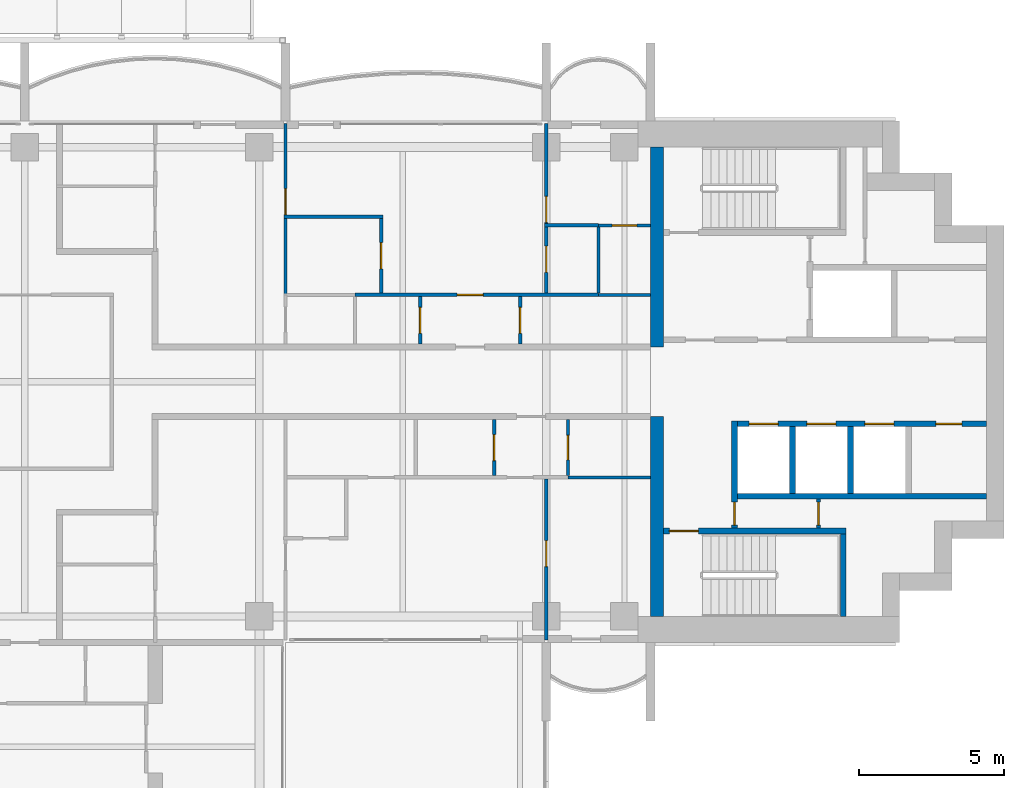
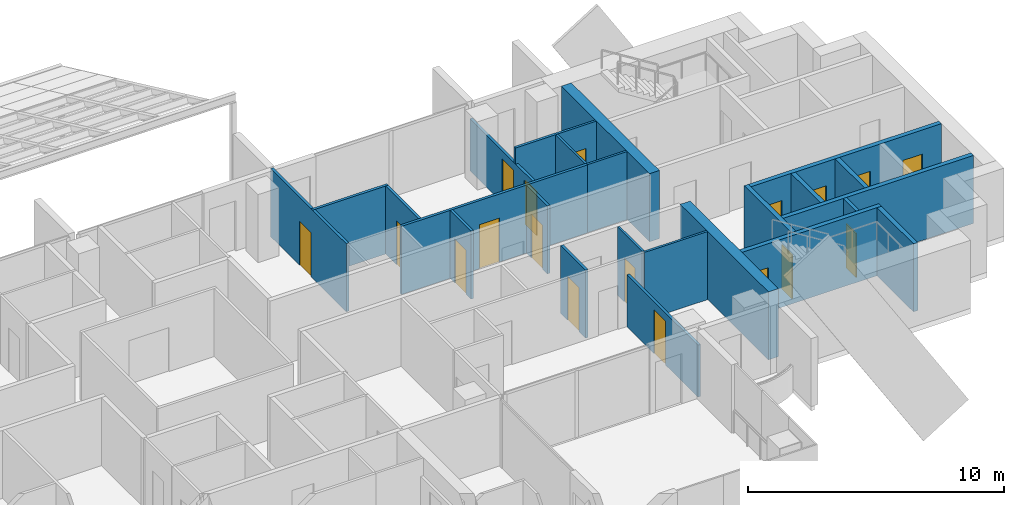
# One storey, part 14 of 20: 25 walls, 18 doors, 18 openings.
"""IFC4 building model written with IfcOpenShell, lengths in metres."""

from ifc_helpers import new_model, si_unit, direction, frame, frame_2d, origin, place, context, subcontext, project, spatial, rectangle, extrude, material, layer, layer_set, type_object, element, fill, save


model = new_model("IFC4")

# Units and contexts
model_context = context("Model", 3, precision=1e-05, world=origin(), true_north=direction((0.0, 1.0)))
body_context = subcontext(model_context, "Body", "Model", "MODEL_VIEW")
ifc_project = project(units=[si_unit("LENGTHUNIT", "METRE"), si_unit("AREAUNIT", "SQUARE_METRE"), si_unit("VOLUMEUNIT", "CUBIC_METRE"), si_unit("PLANEANGLEUNIT", "RADIAN"), si_unit("MASSUNIT", "GRAM", prefix="KILO")], contexts=[model_context])

# Site, building, storey
site_placement = place(None, origin())
site = spatial("IfcSite", under=ifc_project, at=site_placement, CompositionType="ELEMENT")
building_placement = place(site_placement, origin())
building = spatial("IfcBuilding", under=site, at=building_placement, Name="Perihelion Cross Residences", CompositionType="ELEMENT")
storey_placement = place(building_placement, frame((0.0, 0.0, 170.10009765625)))
storey = spatial("IfcBuildingStorey", under=building, at=storey_placement, Name="L41", CompositionType="ELEMENT", Elevation=170.10009765625)

# Walls
ifc_material_1 = material(Name="Concrete C60/75", Category="concrete")
ifc_layer_1 = layer(ifc_material_1, 0.449951171875)
ifc_layer_set_1 = layer_set([ifc_layer_1], Name="Core wall, inner 450")
wall_type_1 = type_object("IfcWallType", Name="Core wall, inner 450", PredefinedType="SHEAR", material=ifc_layer_set_1)
for number, where, z_axis, x_axis, name in (
    (1, (21.824951171875, -8.10009765625, 0.0), (0.0, 0.0, 1.0), (0.0, 1.0, 0.0), "East core core wall, inner"),
    (2, (21.824951171875, 1.199951171875, 0.0), (0.0, 0.0, 1.0), (0.0, 1.0, 0.0), "East core core wall, inner"),
):
    element("IfcWall", number, at=place(storey_placement, frame(where, z_axis=z_axis, x_axis=x_axis)), inside=storey, type_object=wall_type_1, Name=name, PredefinedType="SHEAR", context=body_context, shape_type="SweptSolid", body=[
        extrude(rectangle(XDim=6.900146484375, YDim=0.449951171875, at=frame_2d((3.4501953125, 0.0))), origin(), (0.0, 0.0, 1.0), 3.25),
    ])

# Wall, opening, door
ifc_material_2 = material(Name="Concrete C50/60", Category="concrete")
ifc_layer_2 = layer(ifc_material_2, 0.199951171875)
ifc_layer_set_2 = layer_set([ifc_layer_2], Name="Lobby wall 200")
wall_type_2 = type_object("IfcWallType", Name="Lobby wall 200", PredefinedType="SOLIDWALL", material=ifc_layer_set_2)
wall_1_placement = place(storey_placement, frame((24.5, -5.050048828125, 0.0), z_axis=(0.0, 0.0, 1.0), x_axis=(0.0, 1.0, 0.0)))
wall_1 = element("IfcWall", 3, at=wall_1_placement, inside=storey, type_object=wall_type_2, Name="East core lobby wall", PredefinedType="SOLIDWALL", context=body_context, shape_type="SweptSolid", body=[
    extrude(rectangle(XDim=3.699951171875, YDim=0.199951171875, at=frame_2d((1.85009765625, 0.0))), origin(), (0.0, 0.0, 1.0), 3.25),
])
opening_1_placement = place(wall_1_placement, frame((0.10009765625, 0.0, 0.0)))
opening_1 = element("IfcOpeningElement", 4, at=opening_1_placement, cuts=wall_1, Name="Opening L41.C08", PredefinedType="OPENING", context=body_context, shape_type="SweptSolid", body=[
    extrude(rectangle(XDim=0.800048828125, YDim=2.10009765625, at=frame_2d((0.39990234375, 1.050048828125))), frame((0.0, 0.10986328125, 0.0), z_axis=(0.0, -1.0, 0.0), x_axis=(1.0, 0.0, 0.0)), (0.0, 0.0, 1.0), 0.219970703125),
])
ifc_material_3 = material(Name="Steel, powder coated", Category="steel")
door_type_1 = type_object("IfcDoorType", Name="Riser door 800", OperationType="SINGLE_SWING_LEFT", PredefinedType="DOOR", material=ifc_material_3)
door_1_placement = place(opening_1_placement, origin())
door_1 = element("IfcDoor", 5, at=door_1_placement, inside=storey, type_object=door_type_1, Name="East core riser door", OperationType="SINGLE_SWING_LEFT", OverallHeight=2.10009765625, OverallWidth=0.800048828125, PredefinedType="DOOR", context=body_context, shape_type="SweptSolid", body=[
    extrude(rectangle(XDim=0.800048828125, YDim=2.10009765625, at=frame_2d((0.39990234375, 1.050048828125))), frame((0.0, 0.02490234375, 0.0), z_axis=(0.0, -1.0, 0.0), x_axis=(1.0, 0.0, 0.0)), (0.0, 0.0, 1.0), 0.050048828125),
])
fill(opening_1, door_1)

ifc_material_4 = material(Name="Plasterboard partition")
ifc_layer_3 = layer(ifc_material_4, 0.1201171875)
ifc_layer_set_3 = layer_set([ifc_layer_3], Name="Partition wall 120")
wall_type_3 = type_object("IfcWallType", Name="Partition wall 120", PredefinedType="PARTITIONING", material=ifc_layer_set_3)
wall_2_placement = place(storey_placement, frame((13.64990234375, 2.93994140625, 0.0), z_axis=(0.0, 0.0, 1.0), x_axis=(0.0, -1.0, 0.0)))
wall_2 = element("IfcWall", 6, at=wall_2_placement, inside=storey, type_object=wall_type_3, Name="Partition L41 W025", PredefinedType="PARTITIONING", context=body_context, shape_type="SweptSolid", body=[
    extrude(rectangle(XDim=1.639892578125, YDim=0.1201171875, at=frame_2d((0.81982421875, 0.0))), origin(), (0.0, 0.0, 1.0), 3.25),
])
opening_2_placement = place(wall_2_placement, frame((0.3701171875, 0.0, 0.0)))
opening_2 = element("IfcOpeningElement", 7, at=opening_2_placement, cuts=wall_2, Name="Opening L41.A03", PredefinedType="OPENING", context=body_context, shape_type="SweptSolid", body=[
    extrude(rectangle(XDim=0.89990234375, YDim=2.10009765625, at=frame_2d((0.449951171875, 1.050048828125))), frame((0.0, 0.070068359375, 0.0), z_axis=(0.0, -1.0, 0.0), x_axis=(1.0, 0.0, 0.0)), (0.0, 0.0, 1.0), 0.14013671875),
])
ifc_material_5 = material(Name="Timber door leaf", Category="wood")
door_type_2 = type_object("IfcDoorType", Name="Interior room door 900 x 2100", OperationType="SINGLE_SWING_LEFT", PredefinedType="DOOR", material=ifc_material_5)
door_2_placement = place(opening_2_placement, origin())
door_2 = element("IfcDoor", 8, at=door_2_placement, inside=storey, type_object=door_type_2, Name="Door L41.A03", OperationType="SINGLE_SWING_RIGHT", OverallHeight=2.10009765625, OverallWidth=0.89990234375, PredefinedType="DOOR", context=body_context, shape_type="SweptSolid", body=[
    extrude(rectangle(XDim=0.89990234375, YDim=2.10009765625, at=frame_2d((0.449951171875, 1.050048828125))), frame((0.0, 0.02490234375, 0.0), z_axis=(0.0, -1.0, 0.0), x_axis=(1.0, 0.0, 0.0)), (0.0, 0.0, 1.0), 0.050048828125),
])
fill(opening_2, door_2)

wall_3_placement = place(storey_placement, frame((11.39990234375, 3.0, 0.0), z_axis=(0.0, 0.0, 1.0), x_axis=(1.0, 0.0, 0.0)))
wall_3 = element("IfcWall", 9, at=wall_3_placement, inside=storey, type_object=wall_type_3, Name="Partition L41 W026", PredefinedType="PARTITIONING", context=body_context, shape_type="SweptSolid", body=[
    extrude(rectangle(XDim=8.400146484375, YDim=0.1201171875, at=frame_2d((4.2001953125, 0.0))), origin(), (0.0, 0.0, 1.0), 3.25),
])
opening_3_placement = place(wall_3_placement, frame((3.52490234375, 0.0, 0.0)))
opening_3 = element("IfcOpeningElement", 10, at=opening_3_placement, cuts=wall_3, Name="Opening L41.A07", PredefinedType="OPENING", context=body_context, shape_type="SweptSolid", body=[
    extrude(rectangle(XDim=0.89990234375, YDim=2.10009765625, at=frame_2d((0.449951171875, 1.050048828125))), frame((0.0, 0.070068359375, 0.0), z_axis=(0.0, -1.0, 0.0), x_axis=(1.0, 0.0, 0.0)), (0.0, 0.0, 1.0), 0.14013671875),
])
door_3_placement = place(opening_3_placement, origin())
door_3 = element("IfcDoor", 11, at=door_3_placement, inside=storey, type_object=door_type_2, Name="Door L41.A07", OperationType="SINGLE_SWING_LEFT", OverallHeight=2.10009765625, OverallWidth=0.89990234375, PredefinedType="DOOR", context=body_context, shape_type="SweptSolid", body=[
    extrude(rectangle(XDim=0.89990234375, YDim=2.10009765625, at=frame_2d((0.449951171875, 1.050048828125))), frame((0.0, 0.02490234375, 0.0), z_axis=(0.0, -1.0, 0.0), x_axis=(1.0, 0.0, 0.0)), (0.0, 0.0, 1.0), 0.050048828125),
])
fill(opening_3, door_3)

wall_4_placement = place(storey_placement, frame((17.10009765625, 2.93994140625, 0.0), z_axis=(0.0, 0.0, 1.0), x_axis=(0.0, -1.0, 0.0)))
wall_4 = element("IfcWall", 12, at=wall_4_placement, inside=storey, type_object=wall_type_3, Name="Partition L41 W027", PredefinedType="PARTITIONING", context=body_context, shape_type="SweptSolid", body=[
    extrude(rectangle(XDim=1.639892578125, YDim=0.1201171875, at=frame_2d((0.81982421875, 0.0))), origin(), (0.0, 0.0, 1.0), 3.25),
])
opening_4_placement = place(wall_4_placement, frame((0.3701171875, 0.0, 0.0)))
opening_4 = element("IfcOpeningElement", 13, at=opening_4_placement, cuts=wall_4, Name="Opening L41.A04", PredefinedType="OPENING", context=body_context, shape_type="SweptSolid", body=[
    extrude(rectangle(XDim=0.89990234375, YDim=2.10009765625, at=frame_2d((0.449951171875, 1.050048828125))), frame((0.0, 0.070068359375, 0.0), z_axis=(0.0, -1.0, 0.0), x_axis=(1.0, 0.0, 0.0)), (0.0, 0.0, 1.0), 0.14013671875),
])
door_4_placement = place(opening_4_placement, origin())
door_4 = element("IfcDoor", 14, at=door_4_placement, inside=storey, type_object=door_type_2, Name="Door L41.A04", OperationType="SINGLE_SWING_RIGHT", OverallHeight=2.10009765625, OverallWidth=0.89990234375, PredefinedType="DOOR", context=body_context, shape_type="SweptSolid", body=[
    extrude(rectangle(XDim=0.89990234375, YDim=2.10009765625, at=frame_2d((0.449951171875, 1.050048828125))), frame((0.0, 0.02490234375, 0.0), z_axis=(0.0, -1.0, 0.0), x_axis=(1.0, 0.0, 0.0)), (0.0, 0.0, 1.0), 0.050048828125),
])
fill(opening_4, door_4)

wall_5_placement = place(storey_placement, frame((12.300048828125, 3.06005859375, 0.0), z_axis=(0.0, 0.0, 1.0), x_axis=(0.0, 1.0, 0.0)))
wall_5 = element("IfcWall", 15, at=wall_5_placement, inside=storey, type_object=wall_type_3, Name="Partition L41 W029", PredefinedType="PARTITIONING", context=body_context, shape_type="SweptSolid", body=[
    extrude(rectangle(XDim=2.579833984375, YDim=0.1201171875, at=frame_2d((1.2900390625, 0.0))), origin(), (0.0, 0.0, 1.0), 3.25),
])
opening_5_placement = place(wall_5_placement, frame((0.840087890625, 0.0, 0.0)))
opening_5 = element("IfcOpeningElement", 16, at=opening_5_placement, cuts=wall_5, Name="Opening L41.A09", PredefinedType="OPENING", context=body_context, shape_type="SweptSolid", body=[
    extrude(rectangle(XDim=0.89990234375, YDim=2.10009765625, at=frame_2d((0.449951171875, 1.050048828125))), frame((0.0, 0.070068359375, 0.0), z_axis=(0.0, -1.0, 0.0), x_axis=(1.0, 0.0, 0.0)), (0.0, 0.0, 1.0), 0.14013671875),
])
door_5_placement = place(opening_5_placement, origin())
door_5 = element("IfcDoor", 17, at=door_5_placement, inside=storey, type_object=door_type_2, Name="Door L41.A09", OperationType="SINGLE_SWING_LEFT", OverallHeight=2.10009765625, OverallWidth=0.89990234375, PredefinedType="DOOR", context=body_context, shape_type="SweptSolid", body=[
    extrude(rectangle(XDim=0.89990234375, YDim=2.10009765625, at=frame_2d((0.449951171875, 1.050048828125))), frame((0.0, 0.02490234375, 0.0), z_axis=(0.0, -1.0, 0.0), x_axis=(1.0, 0.0, 0.0)), (0.0, 0.0, 1.0), 0.050048828125),
])
fill(opening_5, door_5)

# Wall
wall_6_placement = place(storey_placement, frame((12.360107421875, 5.699951171875, 0.0), z_axis=(0.0, 0.0, 1.0), x_axis=(-1.0, 0.0, 0.0)))
element("IfcWall", 18, at=wall_6_placement, inside=storey, type_object=wall_type_3, Name="Partition L41 W030", PredefinedType="PARTITIONING", context=body_context, shape_type="SweptSolid", body=[
    extrude(rectangle(XDim=3.420166015625, YDim=0.1201171875, at=frame_2d((1.7099609375, 0.0))), origin(), (0.0, 0.0, 1.0), 3.25),
])

# Wall, openings, doors
wall_7_placement = place(storey_placement, frame((18.0, 8.919921875, 0.0), z_axis=(0.0, 0.0, 1.0), x_axis=(0.0, -1.0, 0.0)))
wall_7 = element("IfcWall", 19, at=wall_7_placement, inside=storey, type_object=wall_type_3, Name="Partition L41 W031", PredefinedType="PARTITIONING", context=body_context, shape_type="SweptSolid", body=[
    extrude(rectangle(XDim=5.85986328125, YDim=0.1201171875, at=frame_2d((2.929931640625, 0.0))), origin(), (0.0, 0.0, 1.0), 2.47998046875),
])
opening_6_placement = place(wall_7_placement, frame((2.52001953125, 0.0, 0.0)))
opening_6 = element("IfcOpeningElement", 20, at=opening_6_placement, cuts=wall_7, Name="Opening L41.A02", PredefinedType="OPENING", context=body_context, shape_type="SweptSolid", body=[
    extrude(rectangle(XDim=0.89990234375, YDim=2.10009765625, at=frame_2d((0.449951171875, 1.050048828125))), frame((0.0, 0.070068359375, 0.0), z_axis=(0.0, -1.0, 0.0), x_axis=(1.0, 0.0, 0.0)), (0.0, 0.0, 1.0), 0.14013671875),
])
opening_7_placement = place(wall_7_placement, frame((4.239990234375, 0.0, 0.0)))
opening_7 = element("IfcOpeningElement", 21, at=opening_7_placement, cuts=wall_7, Name="Opening L41.A05", PredefinedType="OPENING", context=body_context, shape_type="SweptSolid", body=[
    extrude(rectangle(XDim=0.89990234375, YDim=2.10009765625, at=frame_2d((0.449951171875, 1.050048828125))), frame((0.0, 0.070068359375, 0.0), z_axis=(0.0, -1.0, 0.0), x_axis=(1.0, 0.0, 0.0)), (0.0, 0.0, 1.0), 0.14013671875),
])
door_6_placement = place(opening_6_placement, origin())
door_6 = element("IfcDoor", 22, at=door_6_placement, inside=storey, type_object=door_type_2, Name="Door L41.A02", OperationType="SINGLE_SWING_LEFT", OverallHeight=2.10009765625, OverallWidth=0.89990234375, PredefinedType="DOOR", context=body_context, shape_type="SweptSolid", body=[
    extrude(rectangle(XDim=0.89990234375, YDim=2.10009765625, at=frame_2d((0.449951171875, 1.050048828125))), frame((0.0, 0.02490234375, 0.0), z_axis=(0.0, -1.0, 0.0), x_axis=(1.0, 0.0, 0.0)), (0.0, 0.0, 1.0), 0.050048828125),
])
fill(opening_6, door_6)
door_7_placement = place(opening_7_placement, origin())
door_7 = element("IfcDoor", 23, at=door_7_placement, inside=storey, type_object=door_type_2, Name="Door L41.A05", OperationType="SINGLE_SWING_RIGHT", OverallHeight=2.10009765625, OverallWidth=0.89990234375, PredefinedType="DOOR", context=body_context, shape_type="SweptSolid", body=[
    extrude(rectangle(XDim=0.89990234375, YDim=2.10009765625, at=frame_2d((0.449951171875, 1.050048828125))), frame((0.0, 0.02490234375, 0.0), z_axis=(0.0, -1.0, 0.0), x_axis=(1.0, 0.0, 0.0)), (0.0, 0.0, 1.0), 0.050048828125),
])
fill(opening_7, door_7)

# Wall, opening, door
wall_8_placement = place(storey_placement, frame((9.0, 3.0, 0.0), z_axis=(0.0, 0.0, 1.0), x_axis=(0.0, 1.0, 0.0)))
wall_8 = element("IfcWall", 24, at=wall_8_placement, inside=storey, type_object=wall_type_3, Name="Partition L41 W032", PredefinedType="PARTITIONING", context=body_context, shape_type="SweptSolid", body=[
    extrude(rectangle(XDim=5.919921875, YDim=0.1201171875, at=frame_2d((2.9599609375, 0.0))), origin(), (0.0, 0.0, 1.0), 3.25),
])
opening_8_placement = place(wall_8_placement, frame((2.77001953125, 0.0, 0.0)))
opening_8 = element("IfcOpeningElement", 25, at=opening_8_placement, cuts=wall_8, Name="Opening L41.A08", PredefinedType="OPENING", context=body_context, shape_type="SweptSolid", body=[
    extrude(rectangle(XDim=0.89990234375, YDim=2.10009765625, at=frame_2d((0.449951171875, 1.050048828125))), frame((0.0, 0.070068359375, 0.0), z_axis=(0.0, -1.0, 0.0), x_axis=(1.0, 0.0, 0.0)), (0.0, 0.0, 1.0), 0.14013671875),
])
door_8_placement = place(opening_8_placement, origin())
door_8 = element("IfcDoor", 26, at=door_8_placement, inside=storey, type_object=door_type_2, Name="Door L41.A08", OperationType="SINGLE_SWING_RIGHT", OverallHeight=2.10009765625, OverallWidth=0.89990234375, PredefinedType="DOOR", context=body_context, shape_type="SweptSolid", body=[
    extrude(rectangle(XDim=0.89990234375, YDim=2.10009765625, at=frame_2d((0.449951171875, 1.050048828125))), frame((0.0, 0.02490234375, 0.0), z_axis=(0.0, -1.0, 0.0), x_axis=(1.0, 0.0, 0.0)), (0.0, 0.0, 1.0), 0.050048828125),
])
fill(opening_8, door_8)

# Wall
wall_9_placement = place(storey_placement, frame((17.93994140625, 5.39990234375, 0.0), z_axis=(0.0, 0.0, 1.0), x_axis=(1.0, 0.0, 0.0)))
element("IfcWall", 27, at=wall_9_placement, inside=storey, type_object=wall_type_3, Name="Partition L41 W034", PredefinedType="PARTITIONING", context=body_context, shape_type="SweptSolid", body=[
    extrude(rectangle(XDim=1.860107421875, YDim=0.1201171875, at=frame_2d((0.93017578125, 0.0))), origin(), (0.0, 0.0, 1.0), 3.25),
])

# Wall, opening, door
wall_10_placement = place(storey_placement, frame((16.199951171875, -1.300048828125, 0.0), z_axis=(0.0, 0.0, 1.0), x_axis=(0.0, -1.0, 0.0)))
wall_10 = element("IfcWall", 28, at=wall_10_placement, inside=storey, type_object=wall_type_3, Name="Partition L41 W042", PredefinedType="PARTITIONING", context=body_context, shape_type="SweptSolid", body=[
    extrude(rectangle(XDim=1.93994140625, YDim=0.1201171875, at=frame_2d((0.969970703125, 0.0))), origin(), (0.0, 0.0, 1.0), 3.25),
])
opening_9_placement = place(wall_10_placement, frame((0.52001953125, 0.0, 0.0)))
opening_9 = element("IfcOpeningElement", 29, at=opening_9_placement, cuts=wall_10, Name="Opening L41.A15", PredefinedType="OPENING", context=body_context, shape_type="SweptSolid", body=[
    extrude(rectangle(XDim=0.89990234375, YDim=2.10009765625, at=frame_2d((0.449951171875, 1.050048828125))), frame((0.0, 0.070068359375, 0.0), z_axis=(0.0, -1.0, 0.0), x_axis=(1.0, 0.0, 0.0)), (0.0, 0.0, 1.0), 0.14013671875),
])
door_9_placement = place(opening_9_placement, origin())
door_9 = element("IfcDoor", 30, at=door_9_placement, inside=storey, type_object=door_type_2, Name="Door L41.A15", OperationType="SINGLE_SWING_RIGHT", OverallHeight=2.10009765625, OverallWidth=0.89990234375, PredefinedType="DOOR", context=body_context, shape_type="SweptSolid", body=[
    extrude(rectangle(XDim=0.89990234375, YDim=2.10009765625, at=frame_2d((0.449951171875, 1.050048828125))), frame((0.0, 0.02490234375, 0.0), z_axis=(0.0, -1.0, 0.0), x_axis=(1.0, 0.0, 0.0)), (0.0, 0.0, 1.0), 0.050048828125),
])
fill(opening_9, door_9)

wall_11_placement = place(storey_placement, frame((18.0, -3.360107421875, 0.0), z_axis=(0.0, 0.0, 1.0), x_axis=(0.0, -1.0, 0.0)))
wall_11 = element("IfcWall", 31, at=wall_11_placement, inside=storey, type_object=wall_type_3, Name="Partition L41 W047", PredefinedType="PARTITIONING", context=body_context, shape_type="SweptSolid", body=[
    extrude(rectangle(XDim=5.559814453125, YDim=0.1201171875, at=frame_2d((2.77978515625, 0.0))), origin(), (0.0, 0.0, 1.0), 2.47998046875),
])
opening_10_placement = place(wall_11_placement, frame((2.1201171875, 0.0, 0.0)))
opening_10 = element("IfcOpeningElement", 32, at=opening_10_placement, cuts=wall_11, Name="Opening L41.A14", PredefinedType="OPENING", context=body_context, shape_type="SweptSolid", body=[
    extrude(rectangle(XDim=0.89990234375, YDim=2.10009765625, at=frame_2d((0.449951171875, 1.050048828125))), frame((0.0, 0.070068359375, 0.0), z_axis=(0.0, -1.0, 0.0), x_axis=(1.0, 0.0, 0.0)), (0.0, 0.0, 1.0), 0.14013671875),
])
door_10_placement = place(opening_10_placement, origin())
door_10 = element("IfcDoor", 33, at=door_10_placement, inside=storey, type_object=door_type_2, Name="Door L41.A14", OperationType="SINGLE_SWING_LEFT", OverallHeight=2.10009765625, OverallWidth=0.89990234375, PredefinedType="DOOR", context=body_context, shape_type="SweptSolid", body=[
    extrude(rectangle(XDim=0.89990234375, YDim=2.10009765625, at=frame_2d((0.449951171875, 1.050048828125))), frame((0.0, 0.02490234375, 0.0), z_axis=(0.0, -1.0, 0.0), x_axis=(1.0, 0.0, 0.0)), (0.0, 0.0, 1.0), 0.050048828125),
])
fill(opening_10, door_10)

ifc_material_6 = material(Name="Fire-rated board on steel stud", Category="steel")
ifc_layer_4 = layer(ifc_material_6, 0.14990234375)
ifc_layer_set_4 = layer_set([ifc_layer_4], Name="Riser wall 150")
wall_type_4 = type_object("IfcWallType", Name="Riser wall 150", PredefinedType="PARTITIONING", material=ifc_layer_set_4)
wall_12_placement = place(storey_placement, frame((27.39990234375, -5.050048828125, 0.0), z_axis=(0.0, 0.0, 1.0), x_axis=(0.0, 1.0, 0.0)))
wall_12 = element("IfcWall", 34, at=wall_12_placement, inside=storey, type_object=wall_type_4, Name="East core riser wall", PredefinedType="PARTITIONING", context=body_context, shape_type="SweptSolid", body=[
    extrude(rectangle(XDim=1.0, YDim=0.14990234375, at=frame_2d((0.5, 0.0))), origin(), (0.0, 0.0, 1.0), 3.25),
])
opening_11_placement = place(wall_12_placement, frame((0.10009765625, 0.0, 0.0)))
opening_11 = element("IfcOpeningElement", 35, at=opening_11_placement, cuts=wall_12, Name="Opening L41.C11", PredefinedType="OPENING", context=body_context, shape_type="SweptSolid", body=[
    extrude(rectangle(XDim=0.800048828125, YDim=2.10009765625, at=frame_2d((0.39990234375, 1.050048828125))), frame((0.0, 0.0849609375, 0.0), z_axis=(0.0, -1.0, 0.0), x_axis=(1.0, 0.0, 0.0)), (0.0, 0.0, 1.0), 0.169921875),
])
door_11_placement = place(opening_11_placement, origin())
door_11 = element("IfcDoor", 36, at=door_11_placement, inside=storey, type_object=door_type_1, Name="East core riser door", OperationType="SINGLE_SWING_LEFT", OverallHeight=2.10009765625, OverallWidth=0.800048828125, PredefinedType="DOOR", context=body_context, shape_type="SweptSolid", body=[
    extrude(rectangle(XDim=0.800048828125, YDim=2.10009765625, at=frame_2d((0.39990234375, 1.050048828125))), frame((0.0, 0.02490234375, 0.0), z_axis=(0.0, -1.0, 0.0), x_axis=(1.0, 0.0, 0.0)), (0.0, 0.0, 1.0), 0.050048828125),
])
fill(opening_11, door_11)

# Wall, openings, doors
ifc_material_7 = material(Name="Concrete C50/60", Category="concrete")
ifc_layer_5 = layer(ifc_material_7, 0.199951171875)
ifc_layer_set_5 = layer_set([ifc_layer_5], Name="Shaft wall 200")
wall_type_5 = type_object("IfcWallType", Name="Shaft wall 200", PredefinedType="SOLIDWALL", material=ifc_layer_set_5)
wall_13_placement = place(storey_placement, frame((24.60009765625, -1.449951171875, 0.0), z_axis=(0.0, 0.0, 1.0), x_axis=(1.0, 0.0, 0.0)))
wall_13 = element("IfcWall", 37, at=wall_13_placement, inside=storey, type_object=wall_type_5, Name="East core shaft wall", PredefinedType="SOLIDWALL", context=body_context, shape_type="SweptSolid", body=[
    extrude(rectangle(XDim=8.599853515625, YDim=0.199951171875, at=frame_2d((4.2998046875, 0.0))), origin(), (0.0, 0.0, 1.0), 3.25),
])
opening_12_placement = place(wall_13_placement, frame((0.39990234375, 0.0, 0.0)))
opening_12 = element("IfcOpeningElement", 38, at=opening_12_placement, cuts=wall_13, Name="Opening L41.C01", PredefinedType="OPENING", context=body_context, shape_type="SweptSolid", body=[
    extrude(rectangle(XDim=1.0, YDim=2.10009765625, at=frame_2d((0.5, 1.050048828125))), frame((0.0, 0.10986328125, 0.0), z_axis=(0.0, -1.0, 0.0), x_axis=(1.0, 0.0, 0.0)), (0.0, 0.0, 1.0), 0.219970703125),
])
opening_13_placement = place(wall_13_placement, frame((2.39990234375, 0.0, 0.0)))
opening_13 = element("IfcOpeningElement", 39, at=opening_13_placement, cuts=wall_13, Name="Opening L41.C03", PredefinedType="OPENING", context=body_context, shape_type="SweptSolid", body=[
    extrude(rectangle(XDim=1.0, YDim=2.10009765625, at=frame_2d((0.5, 1.050048828125))), frame((0.0, 0.10986328125, 0.0), z_axis=(0.0, -1.0, 0.0), x_axis=(1.0, 0.0, 0.0)), (0.0, 0.0, 1.0), 0.219970703125),
])
opening_14_placement = place(wall_13_placement, frame((4.39990234375, 0.0, 0.0)))
opening_14 = element("IfcOpeningElement", 40, at=opening_14_placement, cuts=wall_13, Name="Opening L41.C04", PredefinedType="OPENING", context=body_context, shape_type="SweptSolid", body=[
    extrude(rectangle(XDim=1.0, YDim=2.10009765625, at=frame_2d((0.5, 1.050048828125))), frame((0.0, 0.10986328125, 0.0), z_axis=(0.0, -1.0, 0.0), x_axis=(1.0, 0.0, 0.0)), (0.0, 0.0, 1.0), 0.219970703125),
])
opening_15_placement = place(wall_13_placement, frame((6.85009765625, 0.0, 0.0)))
opening_15 = element("IfcOpeningElement", 41, at=opening_15_placement, cuts=wall_13, Name="Opening L41.C14", PredefinedType="OPENING", context=body_context, shape_type="SweptSolid", body=[
    extrude(rectangle(XDim=0.89990234375, YDim=2.10009765625, at=frame_2d((0.449951171875, 1.050048828125))), frame((0.0, 0.10986328125, 0.0), z_axis=(0.0, -1.0, 0.0), x_axis=(1.0, 0.0, 0.0)), (0.0, 0.0, 1.0), 0.219970703125),
])
ifc_material_8 = material(Name="Stainless steel", Category="steel")
door_type_3 = type_object("IfcDoorType", Name="Landing door 1000", OperationType="DOUBLE_DOOR_SLIDING", PredefinedType="DOOR", material=ifc_material_8)
door_12_placement = place(opening_12_placement, origin())
door_12 = element("IfcDoor", 42, at=door_12_placement, inside=storey, type_object=door_type_3, Name="Landing door, East core high-rise lift 1", OperationType="DOUBLE_DOOR_SLIDING", OverallHeight=2.10009765625, OverallWidth=1.0, PredefinedType="DOOR", context=body_context, shape_type="SweptSolid", body=[
    extrude(rectangle(XDim=1.0, YDim=2.10009765625, at=frame_2d((0.5, 1.050048828125))), frame((0.0, 0.02490234375, 0.0), z_axis=(0.0, -1.0, 0.0), x_axis=(1.0, 0.0, 0.0)), (0.0, 0.0, 1.0), 0.050048828125),
])
fill(opening_12, door_12)
door_13_placement = place(opening_13_placement, origin())
door_13 = element("IfcDoor", 43, at=door_13_placement, inside=storey, type_object=door_type_3, Name="Landing door, East core high-rise lift 2", OperationType="DOUBLE_DOOR_SLIDING", OverallHeight=2.10009765625, OverallWidth=1.0, PredefinedType="DOOR", context=body_context, shape_type="SweptSolid", body=[
    extrude(rectangle(XDim=1.0, YDim=2.10009765625, at=frame_2d((0.5, 1.050048828125))), frame((0.0, 0.02490234375, 0.0), z_axis=(0.0, -1.0, 0.0), x_axis=(1.0, 0.0, 0.0)), (0.0, 0.0, 1.0), 0.050048828125),
])
fill(opening_13, door_13)
door_14_placement = place(opening_14_placement, origin())
door_14 = element("IfcDoor", 44, at=door_14_placement, inside=storey, type_object=door_type_3, Name="Landing door, East core high-rise lift 3", OperationType="DOUBLE_DOOR_SLIDING", OverallHeight=2.10009765625, OverallWidth=1.0, PredefinedType="DOOR", context=body_context, shape_type="SweptSolid", body=[
    extrude(rectangle(XDim=1.0, YDim=2.10009765625, at=frame_2d((0.5, 1.050048828125))), frame((0.0, 0.02490234375, 0.0), z_axis=(0.0, -1.0, 0.0), x_axis=(1.0, 0.0, 0.0)), (0.0, 0.0, 1.0), 0.050048828125),
])
fill(opening_14, door_14)
ifc_material_9 = material(Name="Steel, powder coated", Category="steel")
door_type_4 = type_object("IfcDoorType", Name="Service room door 900", OperationType="SINGLE_SWING_LEFT", PredefinedType="DOOR", material=ifc_material_9)
door_15_placement = place(opening_15_placement, origin())
door_15 = element("IfcDoor", 45, at=door_15_placement, inside=storey, type_object=door_type_4, Name="East core service room door", OperationType="SINGLE_SWING_LEFT", OverallHeight=2.10009765625, OverallWidth=0.89990234375, PredefinedType="DOOR", context=body_context, shape_type="SweptSolid", body=[
    extrude(rectangle(XDim=0.89990234375, YDim=2.10009765625, at=frame_2d((0.449951171875, 1.050048828125))), frame((0.0, 0.02490234375, 0.0), z_axis=(0.0, -1.0, 0.0), x_axis=(1.0, 0.0, 0.0)), (0.0, 0.0, 1.0), 0.050048828125),
])
fill(opening_15, door_15)

# Walls
wall_14_placement = place(storey_placement, frame((24.60009765625, -3.949951171875, 0.0), z_axis=(0.0, 0.0, 1.0), x_axis=(1.0, 0.0, 0.0)))
element("IfcWall", 46, at=wall_14_placement, inside=storey, type_object=wall_type_5, Name="East core shaft wall", PredefinedType="SOLIDWALL", context=body_context, shape_type="SweptSolid", body=[
    extrude(rectangle(XDim=8.599853515625, YDim=0.199951171875, at=frame_2d((4.2998046875, 0.0))), origin(), (0.0, 0.0, 1.0), 3.25),
])
for number, where, z_axis, x_axis, name in (
    (47, (26.5, -3.85009765625, 0.0), (0.0, 0.0, 1.0), (0.0, 1.0, 0.0), "East core shaft wall"),
    (48, (28.5, -3.85009765625, 0.0), (0.0, 0.0, 1.0), (0.0, 1.0, 0.0), "East core shaft wall"),
):
    element("IfcWall", number, at=place(storey_placement, frame(where, z_axis=z_axis, x_axis=x_axis)), inside=storey, type_object=wall_type_5, Name=name, PredefinedType="SOLIDWALL", context=body_context, shape_type="SweptSolid", body=[
        extrude(rectangle(XDim=2.300048828125, YDim=0.199951171875, at=frame_2d((1.14990234375, 0.0))), origin(), (0.0, 0.0, 1.0), 3.25),
    ])

# Wall, opening, door
ifc_material_10 = material(Name="Concrete C50/60", Category="concrete")
ifc_layer_6 = layer(ifc_material_10, 0.199951171875)
ifc_layer_set_6 = layer_set([ifc_layer_6], Name="Stair wall 200")
wall_type_6 = type_object("IfcWallType", Name="Stair wall 200", PredefinedType="SOLIDWALL", material=ifc_layer_set_6)
wall_15_placement = place(storey_placement, frame((22.050048828125, -5.14990234375, 0.0), z_axis=(0.0, 0.0, 1.0), x_axis=(1.0, 0.0, 0.0)))
wall_15 = element("IfcWall", 49, at=wall_15_placement, inside=storey, type_object=wall_type_6, Name="East core stair wall", PredefinedType="SOLIDWALL", context=body_context, shape_type="SweptSolid", body=[
    extrude(rectangle(XDim=6.300048828125, YDim=0.199951171875, at=frame_2d((3.14990234375, 0.0))), origin(), (0.0, 0.0, 1.0), 3.25),
])
opening_16_placement = place(wall_15_placement, frame((0.199951171875, 0.0, 0.0)))
opening_16 = element("IfcOpeningElement", 50, at=opening_16_placement, cuts=wall_15, Name="Opening L41.C05", PredefinedType="OPENING", context=body_context, shape_type="SweptSolid", body=[
    extrude(rectangle(XDim=1.0, YDim=2.10009765625, at=frame_2d((0.5, 1.050048828125))), frame((0.0, 0.10986328125, 0.0), z_axis=(0.0, -1.0, 0.0), x_axis=(1.0, 0.0, 0.0)), (0.0, 0.0, 1.0), 0.219970703125),
])
ifc_material_11 = material(Name="Steel, powder coated", Category="steel")
door_type_5 = type_object("IfcDoorType", Name="Stair door 1000", OperationType="SINGLE_SWING_LEFT", PredefinedType="DOOR", material=ifc_material_11)
door_16_placement = place(opening_16_placement, origin())
door_16 = element("IfcDoor", 51, at=door_16_placement, inside=storey, type_object=door_type_5, Name="East core stair door", OperationType="SINGLE_SWING_LEFT", OverallHeight=2.10009765625, OverallWidth=1.0, PredefinedType="DOOR", context=body_context, shape_type="SweptSolid", body=[
    extrude(rectangle(XDim=1.0, YDim=2.10009765625, at=frame_2d((0.5, 1.050048828125))), frame((0.0, 0.02490234375, 0.0), z_axis=(0.0, -1.0, 0.0), x_axis=(1.0, 0.0, 0.0)), (0.0, 0.0, 1.0), 0.050048828125),
])
fill(opening_16, door_16)

# Walls
wall_16_placement = place(storey_placement, frame((28.25, -8.10009765625, 0.0), z_axis=(0.0, 0.0, 1.0), x_axis=(0.0, 1.0, 0.0)))
element("IfcWall", 52, at=wall_16_placement, inside=storey, type_object=wall_type_6, Name="East core stair wall", PredefinedType="SOLIDWALL", context=body_context, shape_type="SweptSolid", body=[
    extrude(rectangle(XDim=2.85009765625, YDim=0.199951171875, at=frame_2d((1.425048828125, 0.0))), origin(), (0.0, 0.0, 1.0), 3.25),
])
ifc_material_12 = material(Name="Plasterboard partition")
ifc_layer_7 = layer(ifc_material_12, 0.10009765625)
ifc_layer_set_7 = layer_set([ifc_layer_7], Name="Wet room wall 100")
wall_type_7 = type_object("IfcWallType", Name="Wet room wall 100", PredefinedType="PARTITIONING", material=ifc_layer_set_7)
wall_17_placement = place(storey_placement, frame((19.800048828125, 3.0, 0.0), z_axis=(0.0, 0.0, 1.0), x_axis=(1.0, 0.0, 0.0)))
element("IfcWall", 53, at=wall_17_placement, inside=storey, type_object=wall_type_7, Name="Partition L41 W028", PredefinedType="PARTITIONING", context=body_context, shape_type="SweptSolid", body=[
    extrude(rectangle(XDim=1.800048828125, YDim=0.10009765625, at=frame_2d((0.89990234375, 0.0))), origin(), (0.0, 0.0, 1.0), 3.25),
])
wall_18_placement = place(storey_placement, frame((19.800048828125, 5.340087890625, 0.0), z_axis=(0.0, 0.0, 1.0), x_axis=(0.0, -1.0, 0.0)))
element("IfcWall", 54, at=wall_18_placement, inside=storey, type_object=wall_type_7, Name="Partition L41 W033", PredefinedType="PARTITIONING", context=body_context, shape_type="SweptSolid", body=[
    extrude(rectangle(XDim=2.280029296875, YDim=0.10009765625, at=frame_2d((1.14013671875, 0.0))), origin(), (0.0, 0.0, 1.0), 3.25),
])

# Wall, opening, door
wall_19_placement = place(storey_placement, frame((19.800048828125, 5.39990234375, 0.0), z_axis=(0.0, 0.0, 1.0), x_axis=(1.0, 0.0, 0.0)))
wall_19 = element("IfcWall", 55, at=wall_19_placement, inside=storey, type_object=wall_type_7, Name="Partition L41 W035", PredefinedType="PARTITIONING", context=body_context, shape_type="SweptSolid", body=[
    extrude(rectangle(XDim=1.800048828125, YDim=0.10009765625, at=frame_2d((0.89990234375, 0.0))), origin(), (0.0, 0.0, 1.0), 3.25),
])
opening_17_placement = place(wall_19_placement, frame((0.47509765625, 0.0, 0.0)))
opening_17 = element("IfcOpeningElement", 56, at=opening_17_placement, cuts=wall_19, Name="Opening L41.A10", PredefinedType="OPENING", context=body_context, shape_type="SweptSolid", body=[
    extrude(rectangle(XDim=0.85009765625, YDim=2.10009765625, at=frame_2d((0.425048828125, 1.050048828125))), frame((0.0, 0.06005859375, 0.0), z_axis=(0.0, -1.0, 0.0), x_axis=(1.0, 0.0, 0.0)), (0.0, 0.0, 1.0), 0.1201171875),
])
ifc_material_13 = material(Name="Timber door leaf", Category="wood")
door_type_6 = type_object("IfcDoorType", Name="Interior bathroom door 850 x 2100", OperationType="SINGLE_SWING_LEFT", PredefinedType="DOOR", material=ifc_material_13)
door_17_placement = place(opening_17_placement, origin())
door_17 = element("IfcDoor", 57, at=door_17_placement, inside=storey, type_object=door_type_6, Name="Door L41.A10", OperationType="SINGLE_SWING_RIGHT", OverallHeight=2.10009765625, OverallWidth=0.85009765625, PredefinedType="DOOR", context=body_context, shape_type="SweptSolid", body=[
    extrude(rectangle(XDim=0.85009765625, YDim=2.10009765625, at=frame_2d((0.425048828125, 1.050048828125))), frame((0.0, 0.02490234375, 0.0), z_axis=(0.0, -1.0, 0.0), x_axis=(1.0, 0.0, 0.0)), (0.0, 0.0, 1.0), 0.050048828125),
])
fill(opening_17, door_17)

wall_20_placement = place(storey_placement, frame((18.75, -1.300048828125, 0.0), z_axis=(0.0, 0.0, 1.0), x_axis=(0.0, -1.0, 0.0)))
wall_20 = element("IfcWall", 58, at=wall_20_placement, inside=storey, type_object=wall_type_7, Name="Partition L41 W043", PredefinedType="PARTITIONING", context=body_context, shape_type="SweptSolid", body=[
    extrude(rectangle(XDim=1.93994140625, YDim=0.10009765625, at=frame_2d((0.969970703125, 0.0))), origin(), (0.0, 0.0, 1.0), 3.25),
])
opening_18_placement = place(wall_20_placement, frame((0.544921875, 0.0, 0.0)))
opening_18 = element("IfcOpeningElement", 59, at=opening_18_placement, cuts=wall_20, Name="Opening L41.A13", PredefinedType="OPENING", context=body_context, shape_type="SweptSolid", body=[
    extrude(rectangle(XDim=0.85009765625, YDim=2.10009765625, at=frame_2d((0.425048828125, 1.050048828125))), frame((0.0, 0.06005859375, 0.0), z_axis=(0.0, -1.0, 0.0), x_axis=(1.0, 0.0, 0.0)), (0.0, 0.0, 1.0), 0.1201171875),
])
door_18_placement = place(opening_18_placement, origin())
door_18 = element("IfcDoor", 60, at=door_18_placement, inside=storey, type_object=door_type_6, Name="Door L41.A13", OperationType="SINGLE_SWING_LEFT", OverallHeight=2.10009765625, OverallWidth=0.85009765625, PredefinedType="DOOR", context=body_context, shape_type="SweptSolid", body=[
    extrude(rectangle(XDim=0.85009765625, YDim=2.10009765625, at=frame_2d((0.425048828125, 1.050048828125))), frame((0.0, 0.02490234375, 0.0), z_axis=(0.0, -1.0, 0.0), x_axis=(1.0, 0.0, 0.0)), (0.0, 0.0, 1.0), 0.050048828125),
])
fill(opening_18, door_18)

# Wall
wall_21_placement = place(storey_placement, frame((21.60009765625, -3.300048828125, 0.0), z_axis=(0.0, 0.0, 1.0), x_axis=(-1.0, 0.0, 0.0)))
element("IfcWall", 61, at=wall_21_placement, inside=storey, type_object=wall_type_7, Name="Partition L41 W044", PredefinedType="PARTITIONING", context=body_context, shape_type="SweptSolid", body=[
    extrude(rectangle(XDim=2.85009765625, YDim=0.10009765625, at=frame_2d((1.425048828125, 0.0))), origin(), (0.0, 0.0, 1.0), 3.25),
])

save(model, "model.ifc")
